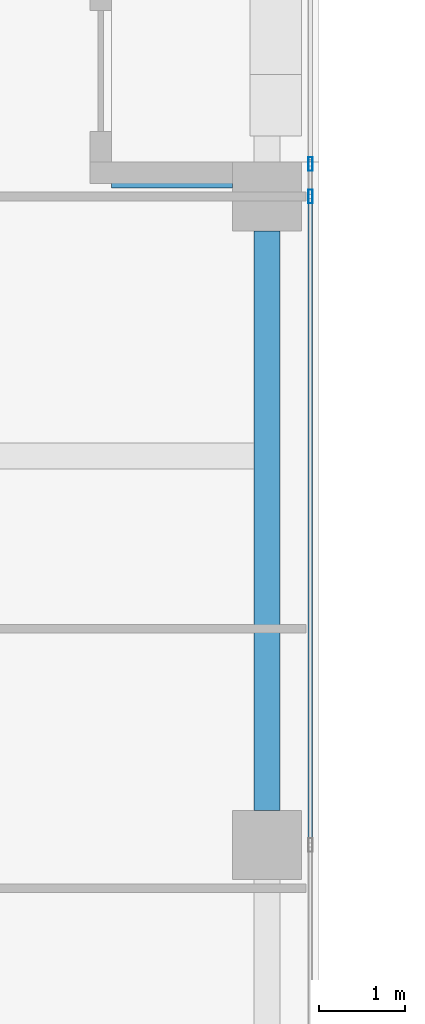
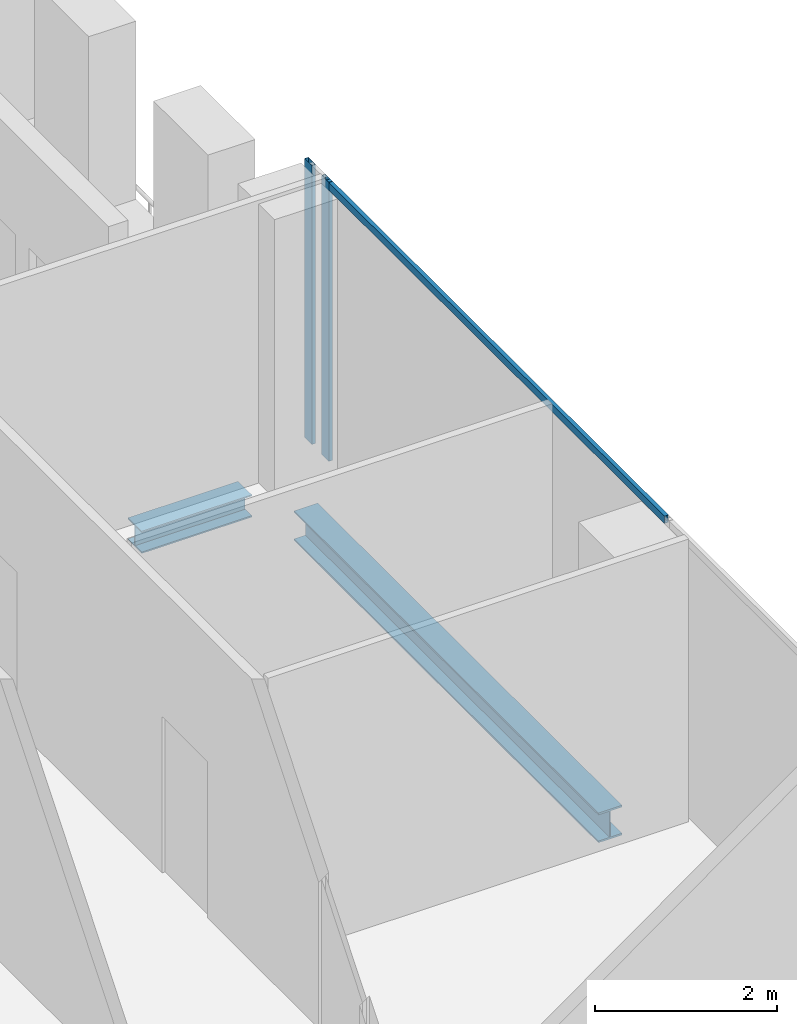
# One storey, part 10 of 28: 3 members, 2 beams, 1 element without a shape of its own.
"""IFC4 building model written with IfcOpenShell, lengths in metres."""

from ifc_helpers import new_model, si_unit, direction, frame, origin, origin_2d, place, context, subcontext, project, spatial, hollow_rectangle, i_section, extrude, source, transform, mapped, material, material_profile, profile_set, type_object, element, aggregate, save


model = new_model("IFC4")

# Units and contexts
model_context = context("Model", 3, precision=1e-05, world=origin(), true_north=direction((0.0, 1.0)))
body_context = subcontext(model_context, "Body", "Model", "MODEL_VIEW")
ifc_project = project(units=[si_unit("LENGTHUNIT", "METRE"), si_unit("AREAUNIT", "SQUARE_METRE"), si_unit("VOLUMEUNIT", "CUBIC_METRE"), si_unit("PLANEANGLEUNIT", "RADIAN"), si_unit("MASSUNIT", "GRAM", prefix="KILO")], contexts=[model_context])

# Site, building, storey
site_placement = place(None, origin())
site = spatial("IfcSite", under=ifc_project, at=site_placement, CompositionType="ELEMENT")
building_placement = place(site_placement, origin())
building = spatial("IfcBuilding", under=site, at=building_placement, Name="Khomas Fold Tower", CompositionType="ELEMENT")
storey_placement = place(building_placement, frame((0.0, 0.0, 298.199951171875)))
storey = spatial("IfcBuildingStorey", under=building, at=storey_placement, Name="L67", CompositionType="ELEMENT", Elevation=298.199951171875)

# Beams
ifc_material_1 = material(Name="Steel S355", Category="steel")
ifc_material_profile_1 = material_profile(ifc_material_1, i_section(OverallWidth=0.300048828125, OverallDepth=0.39990234375, WebThickness=0.013427734375, FlangeThickness=0.02392578125, at=origin_2d()), Name="HE 400 B")
ifc_profile_set_1 = profile_set([ifc_material_profile_1], Name="Steel S355")
beam_type_1 = type_object("IfcBeamType", Name="HE 400 B spandrel SB5", PredefinedType="SPANDREL", material=ifc_profile_set_1)
shared_shape_1 = source(origin(), body_context, "Body", "SweptSolid", [
    extrude(i_section(OverallWidth=0.300048828125, OverallDepth=0.39990234375, WebThickness=0.013427734375, FlangeThickness=0.02392578125, at=origin_2d()), origin(), (0.0, 0.0, 1.0), 6.7001953125),
])
beam_1_placement = place(storey_placement, frame((47.39990234375, 27.39990234375, -0.449951171875), z_axis=(0.0, 1.0, 0.0), x_axis=(-1.0, 0.0, 0.0)))
element("IfcBeam", 1, at=beam_1_placement, inside=storey, type_object=beam_type_1, Name="SB5", PredefinedType="SPANDREL", context=body_context, shape_type="MappedRepresentation", body=[
    mapped(shared_shape_1, transform((0.0, 0.0, 0.0))),
])
ifc_material_2 = material(Name="Steel S355", Category="steel")
ifc_material_profile_2 = material_profile(ifc_material_2, i_section(OverallWidth=0.300048828125, OverallDepth=0.300048828125, WebThickness=0.010986328125, FlangeThickness=0.01904296875, at=origin_2d()), Name="HE 300 B")
ifc_profile_set_2 = profile_set([ifc_material_profile_2], Name="Steel S355")
beam_type_2 = type_object("IfcBeamType", Name="HE 300 B beam BB1", PredefinedType="BEAM", material=ifc_profile_set_2)
shared_shape_2 = source(origin(), body_context, "Body", "SweptSolid", [
    extrude(i_section(OverallWidth=0.300048828125, OverallDepth=0.300048828125, WebThickness=0.010986328125, FlangeThickness=0.01904296875, at=origin_2d()), origin(), (0.0, 0.0, 1.0), 1.39990234375),
])
beam_2_placement = place(storey_placement, frame((45.60009765625, 34.75, -0.39990234375), z_axis=(1.0, 0.0, 0.0), x_axis=(0.0, 1.0, 0.0)))
element("IfcBeam", 2, at=beam_2_placement, inside=storey, type_object=beam_type_2, Name="BB1", PredefinedType="BEAM", context=body_context, shape_type="MappedRepresentation", body=[
    mapped(shared_shape_2, transform((0.0, 0.0, 0.0))),
])

# Curtain wall, members
ifc_material_3 = material(Name="Aluminium framed double glazing", Category="aluminium")
curtain_wall_type = type_object("IfcCurtainWallType", Name="SK-Unitised clear-glass wall, upper floors CW3", PredefinedType="NOTDEFINED", material=ifc_material_3)
curtain_wall_placement = place(storey_placement, origin())
curtain_wall = element("IfcCurtainWall", 3, at=curtain_wall_placement, inside=storey, type_object=curtain_wall_type, Name="CW3 run L67 03-0", PredefinedType="NOTDEFINED")
ifc_material_4 = material(Name="Aluminium", Category="aluminium")
ifc_material_profile_3 = material_profile(ifc_material_4, hollow_rectangle(XDim=0.050048828125, YDim=0.159912109375, WallThickness=0.00390625, at=origin_2d()), Name="SK-Unitised clear-glass wall, upper floors mullion CW3-M")
ifc_profile_set_3 = profile_set([ifc_material_profile_3], Name="Aluminium")
member_type_1 = type_object("IfcMemberType", Name="SK-Unitised clear-glass wall, upper floors mullion CW3-M", PredefinedType="MULLION", material=ifc_profile_set_3)
shared_shape_3 = source(origin(), body_context, "Body", "SweptSolid", [
    extrude(hollow_rectangle(XDim=0.050048828125, YDim=0.159912109375, WallThickness=0.00390625, at=origin_2d()), origin(), (0.0, 0.0, 1.0), 3.75),
])
member_1_placement = place(storey_placement, frame((47.89990234375, 34.5, 0.0), z_axis=(0.0, 0.0, 1.0), x_axis=(-1.0, 0.0, 0.0)))
member_1 = element("IfcMember", 4, at=member_1_placement, type_object=member_type_1, Name="CW3 mullion 5", PredefinedType="MULLION", context=body_context, shape_type="MappedRepresentation", body=[
    mapped(shared_shape_3, transform((0.0, 0.0, 0.0))),
])
member_2_placement = place(storey_placement, frame((47.89990234375, 34.875, 0.0), z_axis=(0.0, 0.0, 1.0), x_axis=(-1.0, 0.0, 0.0)))
member_2 = element("IfcMember", 5, at=member_2_placement, type_object=member_type_1, Name="CW3 mullion 6", PredefinedType="MULLION", context=body_context, shape_type="MappedRepresentation", body=[
    mapped(shared_shape_3, transform((0.0, 0.0, 0.0))),
])
ifc_material_5 = material(Name="Aluminium", Category="aluminium")
ifc_material_profile_4 = material_profile(ifc_material_5, hollow_rectangle(XDim=0.050048828125, YDim=0.10009765625, WallThickness=0.00390625, at=origin_2d()), Name="SK-Unitised clear-glass wall, upper floors transom CW3-T")
ifc_profile_set_4 = profile_set([ifc_material_profile_4], Name="Aluminium")
member_type_2 = type_object("IfcMemberType", Name="SK-Unitised clear-glass wall, upper floors transom CW3-T", PredefinedType="USERDEFINED", material=ifc_profile_set_4)
shared_shape_4 = source(origin(), body_context, "Body", "SweptSolid", [
    extrude(hollow_rectangle(XDim=0.050048828125, YDim=0.10009765625, WallThickness=0.00390625, at=origin_2d()), origin(), (0.0, 0.0, 1.0), 7.4501953125),
])
member_3_placement = place(storey_placement, frame((47.89990234375, 27.02490234375, 3.699951171875), z_axis=(0.0, 1.0, 0.0), x_axis=(-1.0, 0.0, 0.0)))
member_3 = element("IfcMember", 6, at=member_3_placement, type_object=member_type_2, Name="CW3 transom 4", ObjectType="TRANSOM", PredefinedType="USERDEFINED", context=body_context, shape_type="MappedRepresentation", body=[
    mapped(shared_shape_4, transform((0.0, 0.0, 0.0))),
])
aggregate(curtain_wall, [member_1, member_2, member_3])

save(model, "model.ifc")
